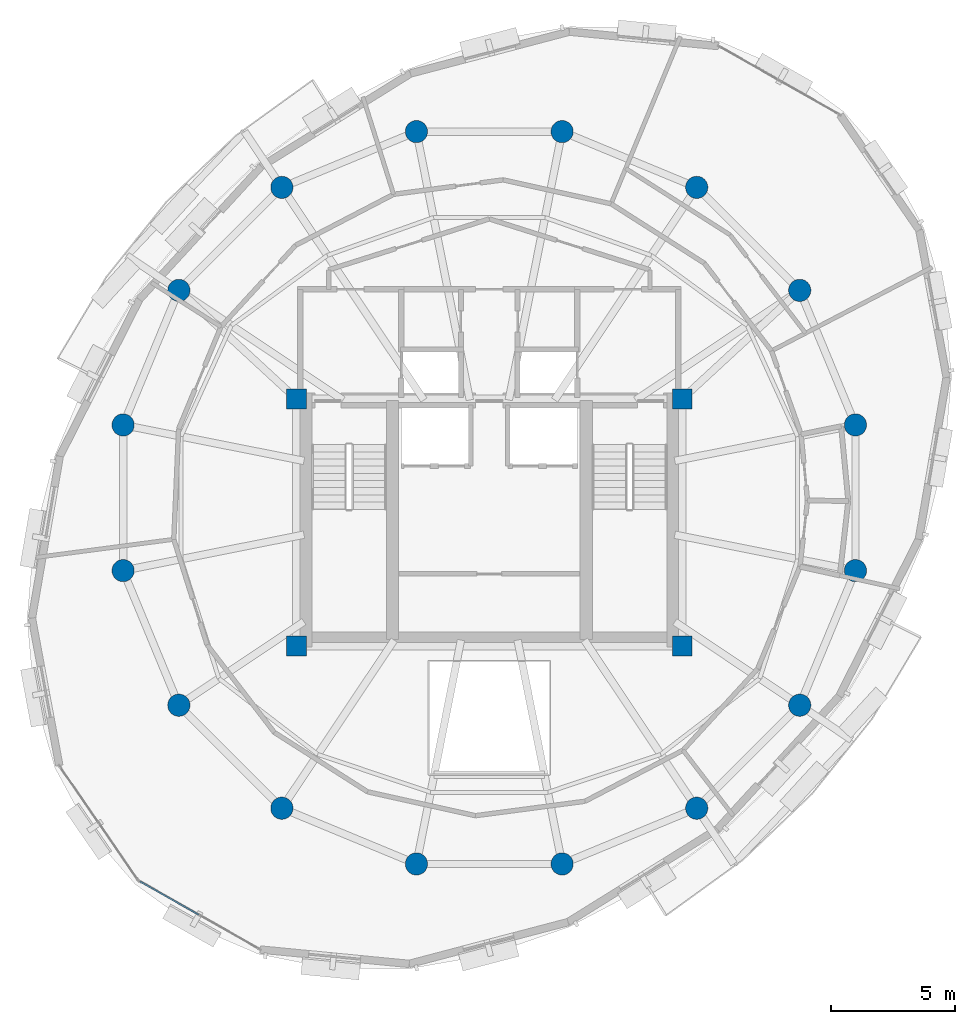
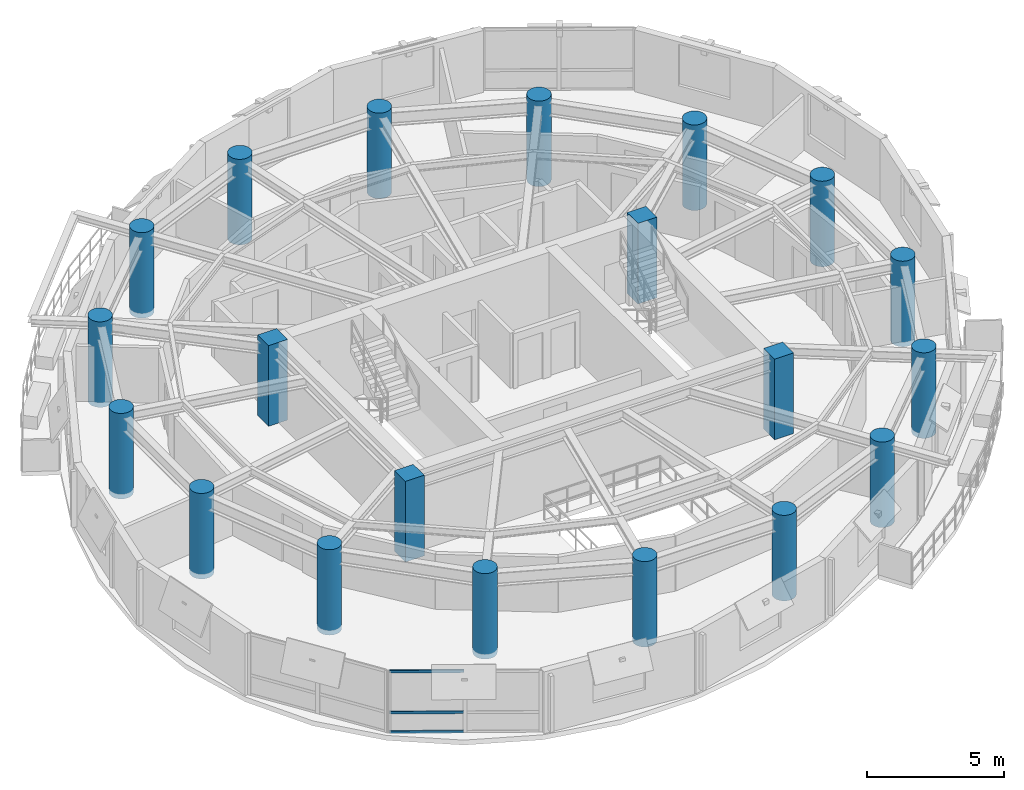
# One storey, part 1 of 12: 20 columns, 3 members, 1 element without a shape of its own.
"""IFC4 building model written with IfcOpenShell, lengths in metres."""

import ifcopenshell
import ifcopenshell.guid

model = None  # the IFC model being written
_history = None  # IfcOwnerHistory: only IFC2X3 demands one
_inside = {}  # id of a spatial element -> (the spatial element, [elements in it])
_under = {}  # id of a project, library or spatial element -> (it, [spatial elements below it])
_declared = {}  # id of a project -> (the project, [libraries it declares])
_typed = {}  # id of a type object -> (the type object, [elements of that type])
_made_of = {}  # id of a material, layer set ... -> (it, [elements and type objects made of it])


def new_model(schema):
    """Start an empty IFC model of exactly this schema.

    Asked for "IFC4X3", IfcOpenShell would pick the latest addendum, in which some entities
    have other attributes; the version numbers below select the first issue.
    IFC2X3 requires an IfcOwnerHistory on every rooted entity: one is made here for all.
    """
    global model, _history
    if schema == "IFC4X3":
        model = ifcopenshell.file(schema_version=(4, 3, 0, 0))
    else:
        model = ifcopenshell.file(schema=schema)
    _inside.clear()
    _under.clear()
    _declared.clear()
    _typed.clear()
    _made_of.clear()
    _history = None
    if model.schema == "IFC2X3":
        org = make("IfcOrganization", Name="unknown")
        user = make(
            "IfcPersonAndOrganization",
            ThePerson=make("IfcPerson", FamilyName="unknown"),
            TheOrganization=org,
        )
        app = make(
            "IfcApplication",
            ApplicationDeveloper=org,
            Version="unknown",
            ApplicationFullName="unknown",
            ApplicationIdentifier="unknown",
        )
        _history = make(
            "IfcOwnerHistory",
            OwningUser=user,
            OwningApplication=app,
            ChangeAction="ADDED",
            CreationDate=0,
        )
    return model


def make(cls, **values):
    """One entity of the class cls with the attributes given. An attribute that is None is left unset."""
    return model.create_entity(
        cls, **{name: value for name, value in values.items() if value is not None}
    )


def rooted(cls, **values):
    """An entity with a GlobalId (a new one), such as an element, a storey or a relation."""
    return make(cls, GlobalId=ifcopenshell.guid.new(), OwnerHistory=_history, **values)


def si_unit(unit_type, name, prefix=None):
    """IfcSIUnit, for example si_unit("LENGTHUNIT", "METRE", prefix="MILLI")."""
    return make("IfcSIUnit", UnitType=unit_type, Prefix=prefix, Name=name)


def assignment(units):
    """IfcUnitAssignment: the units of a project."""
    return None if units is None else make("IfcUnitAssignment", Units=units)


def point(xyz):
    """IfcCartesianPoint."""
    return None if xyz is None else make("IfcCartesianPoint", Coordinates=xyz)


def direction(xyz):
    """IfcDirection."""
    return None if xyz is None else make("IfcDirection", DirectionRatios=xyz)


def frame(location, z_axis=None, x_axis=None):
    """IfcAxis2Placement3D, a coordinate frame: its origin and axes. An axis left out is left unset."""
    return make(
        "IfcAxis2Placement3D",
        Location=point(location),
        Axis=direction(z_axis),
        RefDirection=direction(x_axis),
    )


def frame_2d(location, x_axis=None):
    """IfcAxis2Placement2D, a coordinate frame in the plane: its origin and x axis."""
    return make(
        "IfcAxis2Placement2D", Location=point(location), RefDirection=direction(x_axis)
    )


def origin():
    """The frame at (0, 0, 0) with its axes left unset."""
    return frame((0.0, 0.0, 0.0))


def origin_2d():
    """The frame at (0, 0) in the plane with its x axis left unset."""
    return frame_2d((0.0, 0.0))


def place(relative_to, where):
    """IfcLocalPlacement: puts the frame where relative to a parent placement (None: the world)."""
    return make(
        "IfcLocalPlacement", PlacementRelTo=relative_to, RelativePlacement=where
    )


def context(
    kind, dimensions, precision=None, world=None, true_north=None, identifier=None
):
    """IfcGeometricRepresentationContext, for example the 3D "Model" context."""
    return make(
        "IfcGeometricRepresentationContext",
        ContextIdentifier=identifier,
        ContextType=kind,
        CoordinateSpaceDimension=dimensions,
        Precision=precision,
        WorldCoordinateSystem=world,
        TrueNorth=true_north,
    )


def subcontext(parent, identifier, kind, view, scale=None):
    """IfcGeometricRepresentationSubContext, for example "Body" below "Model"."""
    return make(
        "IfcGeometricRepresentationSubContext",
        ContextIdentifier=identifier,
        ContextType=kind,
        ParentContext=parent,
        TargetScale=scale,
        TargetView=view,
    )


def project(units=None, contexts=None):
    """IfcProject with its units and contexts."""
    return rooted(
        "IfcProject",
        Name="project",
        RepresentationContexts=contexts,
        UnitsInContext=assignment(units),
    )


def spatial(cls, under=None, at=None, **own):
    """A site, building, storey or space (cls), placed at a placement, below another one or the project."""
    s = rooted(cls, ObjectPlacement=at, **own)
    if under is not None:
        _under.setdefault(under.id(), (under, []))[1].append(s)
    return s


def profile(cls, at=None, kind="AREA", **sizes):
    """A parametric profile (cls). Its sizes go by their IFC names, for example OverallWidth=200.0."""
    return make(cls, ProfileType=kind, Position=at, **sizes)


def rectangle(**sizes):
    """IfcRectangleProfileDef."""
    return profile("IfcRectangleProfileDef", **sizes)


def hollow_rectangle(**sizes):
    """IfcRectangleHollowProfileDef."""
    return profile("IfcRectangleHollowProfileDef", **sizes)


def circle(**sizes):
    """IfcCircleProfileDef."""
    return profile("IfcCircleProfileDef", **sizes)


def extrude(swept, where, along, depth):
    """IfcExtrudedAreaSolid: the profile swept, set in the frame where, extruded along a direction by depth."""
    return make(
        "IfcExtrudedAreaSolid",
        SweptArea=swept,
        Position=where,
        ExtrudedDirection=direction(along),
        Depth=depth,
    )


def shape(context_of_items, identifier, shape_type, items):
    """IfcShapeRepresentation: the items that make up one representation, for example the "Body"."""
    return make(
        "IfcShapeRepresentation",
        ContextOfItems=context_of_items,
        RepresentationIdentifier=identifier,
        RepresentationType=shape_type,
        Items=items,
    )


def material(Name=None, Category=None):
    """IfcMaterial."""
    return make("IfcMaterial", Name=Name, Category=Category)


def layer(
    of_material, thickness, ventilated=None, Name=None, Category=None, Priority=None
):
    """IfcMaterialLayer: one layer of a wall or slab, of a material (None: an air gap)."""
    return make(
        "IfcMaterialLayer",
        Material=of_material,
        LayerThickness=thickness,
        IsVentilated=ventilated,
        Name=Name,
        Category=Category,
        Priority=Priority,
    )


def layer_set(layers, Name=None):
    """IfcMaterialLayerSet."""
    return make("IfcMaterialLayerSet", MaterialLayers=layers, LayerSetName=Name)


def material_profile(
    of_material, cross_section, Name=None, Category=None, Priority=None
):
    """IfcMaterialProfile: a cross section and its material."""
    return make(
        "IfcMaterialProfile",
        Name=Name,
        Material=of_material,
        Profile=cross_section,
        Priority=Priority,
        Category=Category,
    )


def profile_set(profiles, Name=None, composite=None):
    """IfcMaterialProfileSet."""
    return make(
        "IfcMaterialProfileSet",
        Name=Name,
        MaterialProfiles=profiles,
        CompositeProfile=composite,
    )


def made_of(thing, what):
    """Note that an element or type object is made of a material, layer set ...; save() writes the relation."""
    if what is not None:
        _made_of.setdefault(what.id(), (what, []))[1].append(thing)
    return thing


def type_object(cls, material=None, **own):
    """A type object (cls), such as IfcWallType, which elements share."""
    return made_of(rooted(cls, **own), material)


def element(
    cls,
    number,
    at=None,
    inside=None,
    cuts=None,
    type_object=None,
    material=None,
    context=None,
    identifier="Body",
    shape_type=None,
    held_by="IfcProductDefinitionShape",
    body=None,
    shapes=None,
    **own,
):
    """One element of the class cls, such as IfcWall. Its Tag is "e" and its number.

    at: its placement. inside: the storey or other place that contains it. cuts: it is an
    opening in that element (IfcRelVoidsElement). A single representation is given by context,
    identifier, shape_type and body (its items); several are given by shapes. held_by: the class
    of the entity that holds the representations. save() writes the other relations.
    """
    e = rooted(cls, Tag="e%d" % number, ObjectPlacement=at, **own)
    if body is not None:
        shapes = [shape(context, identifier, shape_type, body)]
    if shapes is not None:
        e.Representation = make(held_by, Representations=shapes)
    if inside is not None:
        _inside.setdefault(inside.id(), (inside, []))[1].append(e)
    if cuts is not None:
        rooted(
            "IfcRelVoidsElement", RelatingBuildingElement=cuts, RelatedOpeningElement=e
        )
    if type_object is not None:
        _typed.setdefault(type_object.id(), (type_object, []))[1].append(e)
    return made_of(e, material)


def aggregate(whole, parts):
    """IfcRelAggregates: a whole, such as a stair, and the parts it consists of."""
    return rooted("IfcRelAggregates", RelatingObject=whole, RelatedObjects=parts)


def save(model, path):
    """Write the relations noted so far, then the file.

    IfcRelAggregates (storeys below a building ...), IfcRelContainedInSpatialStructure (elements
    in a storey), IfcRelDefinesByType, IfcRelAssociatesMaterial and IfcRelDeclares: one each for
    every whole, place, type object, material and project.
    """
    for whole, parts in _under.values():
        aggregate(whole, parts)
    for where, things in _inside.values():
        rooted(
            "IfcRelContainedInSpatialStructure",
            RelatedElements=things,
            RelatingStructure=where,
        )
    for kind, things in _typed.values():
        rooted("IfcRelDefinesByType", RelatedObjects=things, RelatingType=kind)
    for what, things in _made_of.values():
        rooted("IfcRelAssociatesMaterial", RelatedObjects=things, RelatingMaterial=what)
    for by, libraries in _declared.values():
        rooted("IfcRelDeclares", RelatingContext=by, RelatedDefinitions=libraries)
    model.write(path)


model = new_model("IFC4")

# Units and contexts
model_context = context("Model", 3, precision=1e-05, world=origin(), true_north=direction((0.0, 1.0)))
body_context = subcontext(model_context, "Body", "Model", "MODEL_VIEW")
ifc_project = project(units=[si_unit("LENGTHUNIT", "METRE"), si_unit("AREAUNIT", "SQUARE_METRE"), si_unit("VOLUMEUNIT", "CUBIC_METRE"), si_unit("PLANEANGLEUNIT", "RADIAN"), si_unit("MASSUNIT", "GRAM", prefix="KILO"), si_unit("THERMODYNAMICTEMPERATUREUNIT", "KELVIN"), si_unit("POWERUNIT", "WATT")], contexts=[model_context])

# Site, building, storey
site_placement = place(None, origin())
site = spatial("IfcSite", under=ifc_project, at=site_placement, CompositionType="ELEMENT")
building_placement = place(site_placement, origin())
building = spatial("IfcBuilding", under=site, at=building_placement, Name="Ocrelia Relay Tower", CompositionType="ELEMENT")
storey_placement = place(building_placement, frame((0.0, 0.0, 230.39990234375)))
storey = spatial("IfcBuildingStorey", under=building, at=storey_placement, Name="L56", CompositionType="ELEMENT", Elevation=230.39990234375)

# Columns
ifc_material_1 = material(Name="Concrete C50/60", Category="concrete")
ifc_material_profile_1 = material_profile(ifc_material_1, circle(Radius=0.449951171875, at=origin_2d()), Name="RC-CIR-900")
ifc_profile_set_1 = profile_set([ifc_material_profile_1], Name="Concrete C50/60")
column_type_1 = type_object("IfcColumnType", Name="COL-CT-900", PredefinedType="COLUMN", material=ifc_profile_set_1)
for number, where, z_axis, x_axis, name in (
    (1, (48.809814453125, 28.94580078125, -0.219970703125), (0.0, 0.0, 1.0), (1.0, 0.0, 0.0), "L56 Perimeter Ring Column C01"),
    (2, (46.55517578125, 34.38916015625, -0.219970703125), (0.0, 0.0, 1.0), (1.0, 0.0, 0.0), "L56 Perimeter Ring Column C02"),
    (3, (42.38916015625, 38.55517578125, -0.219970703125), (0.0, 0.0, 1.0), (1.0, 0.0, 0.0), "L56 Perimeter Ring Column C03"),
    (4, (36.94580078125, 40.809814453125, -0.219970703125), (0.0, 0.0, 1.0), (1.0, 0.0, 0.0), "L56 Perimeter Ring Column C04"),
    (5, (31.05419921875, 40.809814453125, -0.219970703125), (0.0, 0.0, 1.0), (1.0, 0.0, 0.0), "L56 Perimeter Ring Column C05"),
    (6, (25.61083984375, 38.55517578125, -0.219970703125), (0.0, 0.0, 1.0), (1.0, 0.0, 0.0), "L56 Perimeter Ring Column C06"),
    (7, (21.44482421875, 34.38916015625, -0.219970703125), (0.0, 0.0, 1.0), (1.0, 0.0, 0.0), "L56 Perimeter Ring Column C07"),
    (8, (19.190185546875, 28.94580078125, -0.219970703125), (0.0, 0.0, 1.0), (1.0, 0.0, 0.0), "L56 Perimeter Ring Column C08"),
    (9, (19.190185546875, 23.05419921875, -0.219970703125), (0.0, 0.0, 1.0), (1.0, 0.0, 0.0), "L56 Perimeter Ring Column C09"),
    (10, (21.44482421875, 17.61083984375, -0.219970703125), (0.0, 0.0, 1.0), (1.0, 0.0, 0.0), "L56 Perimeter Ring Column C10"),
    (11, (25.61083984375, 13.44482421875, -0.219970703125), (0.0, 0.0, 1.0), (1.0, 0.0, 0.0), "L56 Perimeter Ring Column C11"),
    (12, (31.05419921875, 11.190185546875, -0.219970703125), (0.0, 0.0, 1.0), (1.0, 0.0, 0.0), "L56 Perimeter Ring Column C12"),
    (13, (36.94580078125, 11.190185546875, -0.219970703125), (0.0, 0.0, 1.0), (1.0, 0.0, 0.0), "L56 Perimeter Ring Column C13"),
    (14, (42.38916015625, 13.44482421875, -0.219970703125), (0.0, 0.0, 1.0), (1.0, 0.0, 0.0), "L56 Perimeter Ring Column C14"),
    (15, (46.55517578125, 17.61083984375, -0.219970703125), (0.0, 0.0, 1.0), (1.0, 0.0, 0.0), "L56 Perimeter Ring Column C15"),
    (16, (48.809814453125, 23.05419921875, -0.219970703125), (0.0, 0.0, 1.0), (1.0, 0.0, 0.0), "L56 Perimeter Ring Column C16"),
):
    element("IfcColumn", number, at=place(storey_placement, frame(where, z_axis=z_axis, x_axis=x_axis)), inside=storey, type_object=column_type_1, Name=name, PredefinedType="COLUMN", context=body_context, shape_type="SweptSolid", body=[
        extrude(circle(Radius=0.449951171875, at=origin_2d()), origin(), (0.0, 0.0, 1.0), 3.820068359375),
    ])
ifc_material_2 = material(Name="Concrete C60/75", Category="concrete")
ifc_material_profile_2 = material_profile(ifc_material_2, rectangle(XDim=0.800048828125, YDim=0.800048828125, at=origin_2d()), Name="RC-COL-800x800")
ifc_profile_set_2 = profile_set([ifc_material_profile_2], Name="Concrete C60/75")
column_type_2 = type_object("IfcColumnType", Name="COL-PILASTER-800", PredefinedType="PILASTER", material=ifc_profile_set_2)
for number, where, z_axis, x_axis, name in (
    (17, (26.199951171875, 20.0, 0.0), (0.0, 0.0, 1.0), (1.0, 0.0, 0.0), "L56 Core Corner Pilaster SW"),
    (18, (41.800048828125, 20.0, 0.0), (0.0, 0.0, 1.0), (1.0, 0.0, 0.0), "L56 Core Corner Pilaster SE"),
    (19, (26.199951171875, 30.0, 0.0), (0.0, 0.0, 1.0), (1.0, 0.0, 0.0), "L56 Core Corner Pilaster NW"),
    (20, (41.800048828125, 30.0, 0.0), (0.0, 0.0, 1.0), (1.0, 0.0, 0.0), "L56 Core Corner Pilaster NE"),
):
    element("IfcColumn", number, at=place(storey_placement, frame(where, z_axis=z_axis, x_axis=x_axis)), inside=storey, type_object=column_type_2, Name=name, PredefinedType="PILASTER", context=body_context, shape_type="SweptSolid", body=[
        extrude(rectangle(XDim=0.800048828125, YDim=0.800048828125, at=origin_2d()), origin(), (0.0, 0.0, 1.0), 3.60009765625),
    ])

# Curtain wall, members
ifc_material_3 = material(Name="Aluminium and solar-control low-E glass", Category="aluminium")
ifc_layer = layer(ifc_material_3, 0.179931640625, Name="Aluminium and solar-control low-E glass")
ifc_layer_set = layer_set([ifc_layer], Name="Aluminium and solar-control low-E glass")
curtain_wall_type = type_object("IfcCurtainWallType", Name="CW-SYS-Z4-EXEC", PredefinedType="NOTDEFINED", material=ifc_layer_set)
curtain_wall_placement = place(storey_placement, origin())
curtain_wall = element("IfcCurtainWall", 21, at=curtain_wall_placement, inside=storey, type_object=curtain_wall_type, Name="L56 Elliptical Tower Curtain Wall Bay 10", PredefinedType="NOTDEFINED")
ifc_material_4 = material(Name="Anodised bronze aluminium", Category="aluminium")
ifc_material_profile_3 = material_profile(ifc_material_4, hollow_rectangle(XDim=0.06005859375, YDim=0.1201171875, WallThickness=0.0048828125, at=origin_2d()), Name="CW-TRN-120x60")
ifc_profile_set_3 = profile_set([ifc_material_profile_3], Name="Anodised bronze aluminium")
member_type = type_object("IfcMemberType", Name="CW-SYS-Z4-EXEC-TRN", PredefinedType="USERDEFINED", material=ifc_profile_set_3)
member_1_placement = place(storey_placement, frame((19.869140625, 10.485107421875, 0.030029296875), z_axis=(0.869962028264, -0.493118717328, 0.0), x_axis=(0.493118717328, 0.869962028264, 0.0)))
member_1 = element("IfcMember", 22, at=member_1_placement, type_object=member_type, Name="CW-Z4 transom 1.1", ObjectType="TRANSOM", PredefinedType="USERDEFINED", context=body_context, shape_type="SweptSolid", body=[
    extrude(hollow_rectangle(XDim=0.06005859375, YDim=0.1201171875, WallThickness=0.0048828125, at=origin_2d()), origin(), (0.0, 0.0, 1.0), 2.7275390625),
])
member_2_placement = place(storey_placement, frame((19.869140625, 10.485107421875, 0.900146484375), z_axis=(0.869962028264, -0.493118717328, 0.0), x_axis=(0.493118717328, 0.869962028264, 0.0)))
member_2 = element("IfcMember", 23, at=member_2_placement, type_object=member_type, Name="CW-Z4 transom 1.2", ObjectType="TRANSOM", PredefinedType="USERDEFINED", context=body_context, shape_type="SweptSolid", body=[
    extrude(hollow_rectangle(XDim=0.06005859375, YDim=0.1201171875, WallThickness=0.0048828125, at=origin_2d()), origin(), (0.0, 0.0, 1.0), 2.7275390625),
])
member_3_placement = place(storey_placement, frame((19.869140625, 10.485107421875, 2.72998046875), z_axis=(0.869962028264, -0.493118717328, 0.0), x_axis=(0.493118717328, 0.869962028264, 0.0)))
member_3 = element("IfcMember", 24, at=member_3_placement, type_object=member_type, Name="CW-Z4 transom 1.3", ObjectType="TRANSOM", PredefinedType="USERDEFINED", context=body_context, shape_type="SweptSolid", body=[
    extrude(hollow_rectangle(XDim=0.06005859375, YDim=0.1201171875, WallThickness=0.0048828125, at=origin_2d()), origin(), (0.0, 0.0, 1.0), 2.7275390625),
])
aggregate(curtain_wall, [member_1, member_2, member_3])

save(model, "model.ifc")
